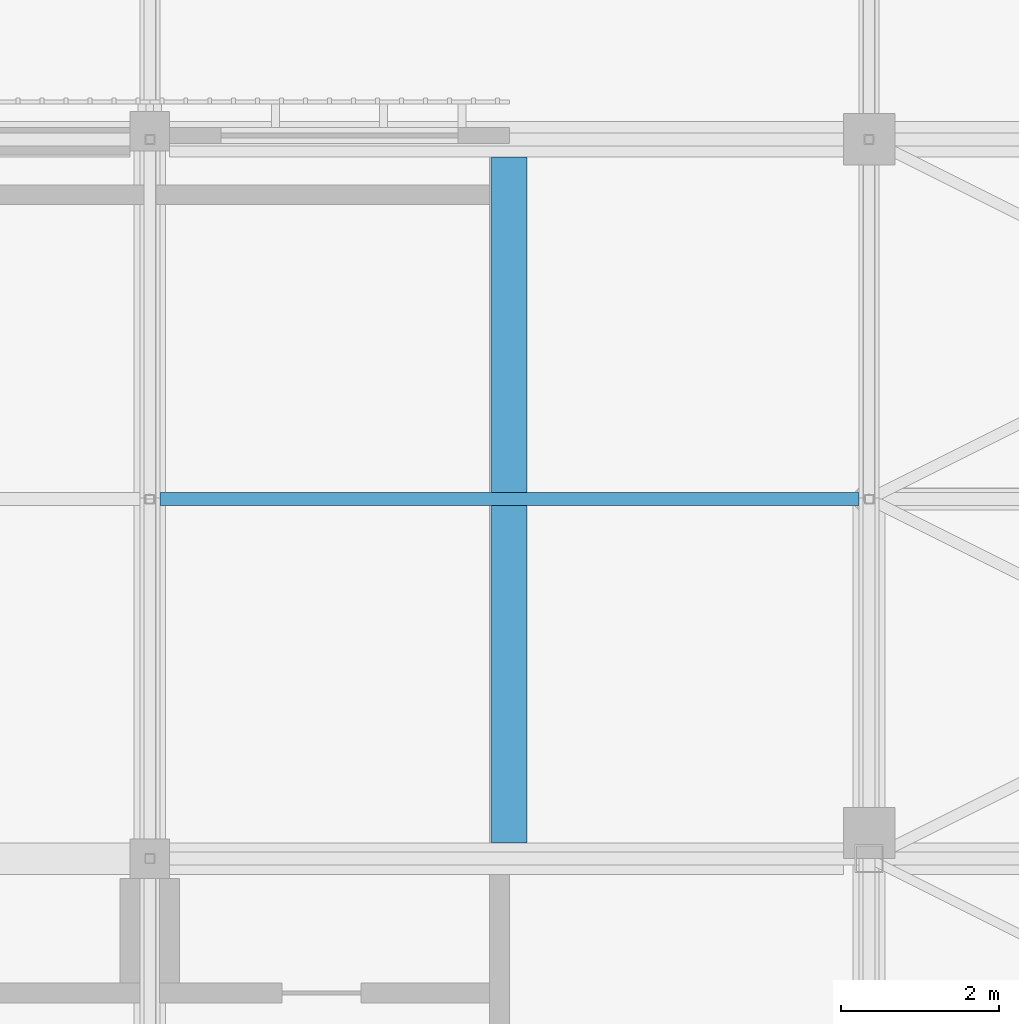
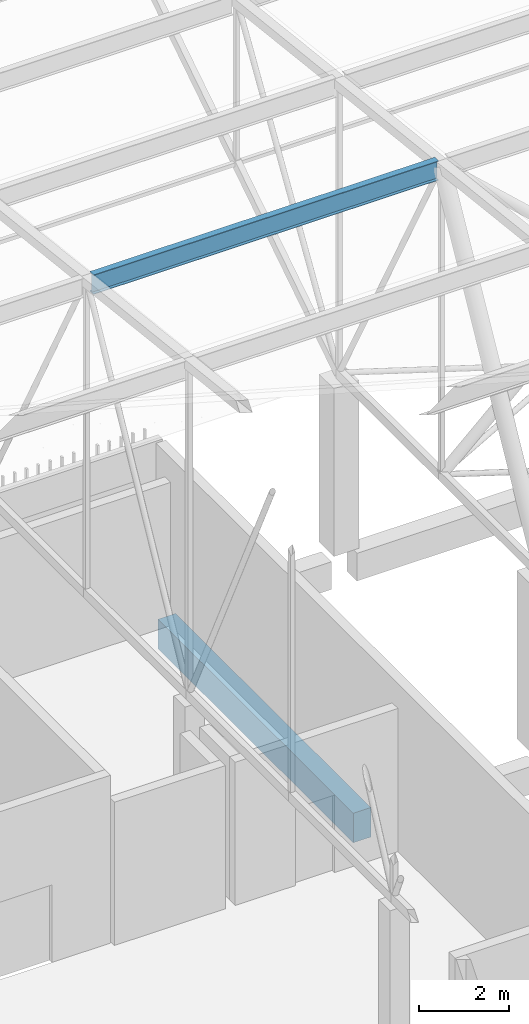
# One storey, part 249 of 500: 1 beam, 1 member.
"""IFC4 building model written with IfcOpenShell, lengths in metres."""

from ifc_helpers import new_model, si_unit, direction, frame, origin, origin_2d, place, context, subcontext, project, spatial, rectangle, i_section, extrude, material, material_profile, profile_set, type_object, element, save


model = new_model("IFC4")

# Units and contexts
model_context = context("Model", 3, precision=1e-05, world=origin(), true_north=direction((0.0, 1.0)))
body_context = subcontext(model_context, "Body", "Model", "MODEL_VIEW")
ifc_project = project(units=[si_unit("LENGTHUNIT", "METRE"), si_unit("AREAUNIT", "SQUARE_METRE"), si_unit("VOLUMEUNIT", "CUBIC_METRE"), si_unit("PLANEANGLEUNIT", "RADIAN"), si_unit("MASSUNIT", "GRAM", prefix="KILO")], contexts=[model_context])

# Site, building, storey
site_placement = place(None, origin())
site = spatial("IfcSite", under=ifc_project, at=site_placement, CompositionType="ELEMENT")
building_placement = place(site_placement, origin())
building = spatial("IfcBuilding", under=site, at=building_placement, Name="Shirokan Park Arena", CompositionType="ELEMENT")
storey_placement = place(building_placement, frame((0.0, 0.0, 29.1201171875)))
storey = spatial("IfcBuildingStorey", under=building, at=storey_placement, Name="L06", CompositionType="ELEMENT", Elevation=29.1201171875)

# Member
ifc_material_1 = material(Name="Steel ASTM A992", Category="steel")
ifc_material_profile_1 = material_profile(ifc_material_1, i_section(OverallWidth=0.166015625, OverallDepth=0.528076171875, WebThickness=0.009765625, FlangeThickness=0.013671875, at=origin_2d()), Name="W530X74")
ifc_profile_set_1 = profile_set([ifc_material_profile_1], Name="Steel ASTM A992")
member_type = type_object("IfcMemberType", Name="Purlin W530X74", PredefinedType="PURLIN", material=ifc_profile_set_1)
member_placement = place(storey_placement, frame((36.527099609375, 104.64990234375, 13.005859375), z_axis=(1.0, 0.0, 0.0), x_axis=(0.0, 1.0, 0.0)))
element("IfcMember", 1, at=member_placement, inside=storey, type_object=member_type, Name="Purlin 26 bay 5", PredefinedType="PURLIN", context=body_context, shape_type="SweptSolid", body=[
    extrude(i_section(OverallWidth=0.166015625, OverallDepth=0.528076171875, WebThickness=0.009765625, FlangeThickness=0.013671875, at=origin_2d()), origin(), (0.0, 0.0, 1.0), 8.845947265625),
])

# Beam
ifc_material_2 = material(Name="Concrete C35", Category="concrete")
ifc_material_profile_2 = material_profile(ifc_material_2, rectangle(XDim=0.449951171875, YDim=0.800048828125, at=origin_2d()), Name="450x800")
ifc_profile_set_2 = profile_set([ifc_material_profile_2], Name="Concrete C35")
beam_type = type_object("IfcBeamType", Name="RC edge beam 450x800", PredefinedType="BEAM", material=ifc_profile_set_2)
beam_placement = place(storey_placement, frame((40.949951171875, 108.97509765625, -0.60009765625), z_axis=(0.0, -1.0, 0.0), x_axis=(1.0, 0.0, 0.0)))
element("IfcBeam", 2, at=beam_placement, inside=storey, type_object=beam_type, Name="Edge beam L06 L06-11", PredefinedType="BEAM", context=body_context, shape_type="SweptSolid", body=[
    extrude(rectangle(XDim=0.449951171875, YDim=0.800048828125, at=origin_2d()), origin(), (0.0, 0.0, 1.0), 8.675048828125),
])

save(model, "model.ifc")
